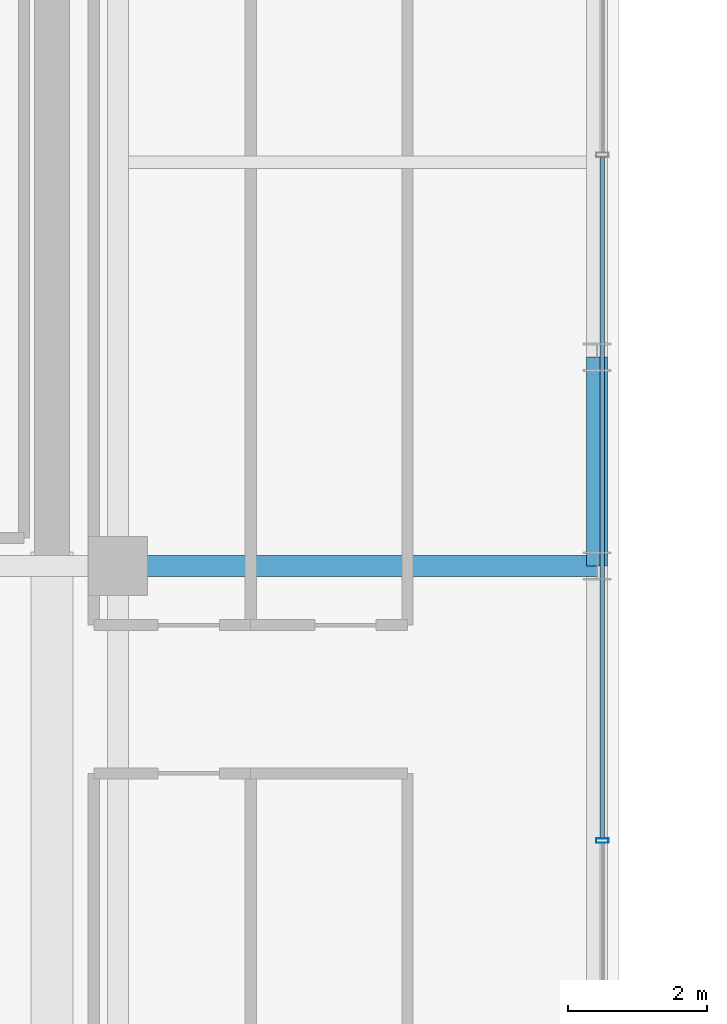
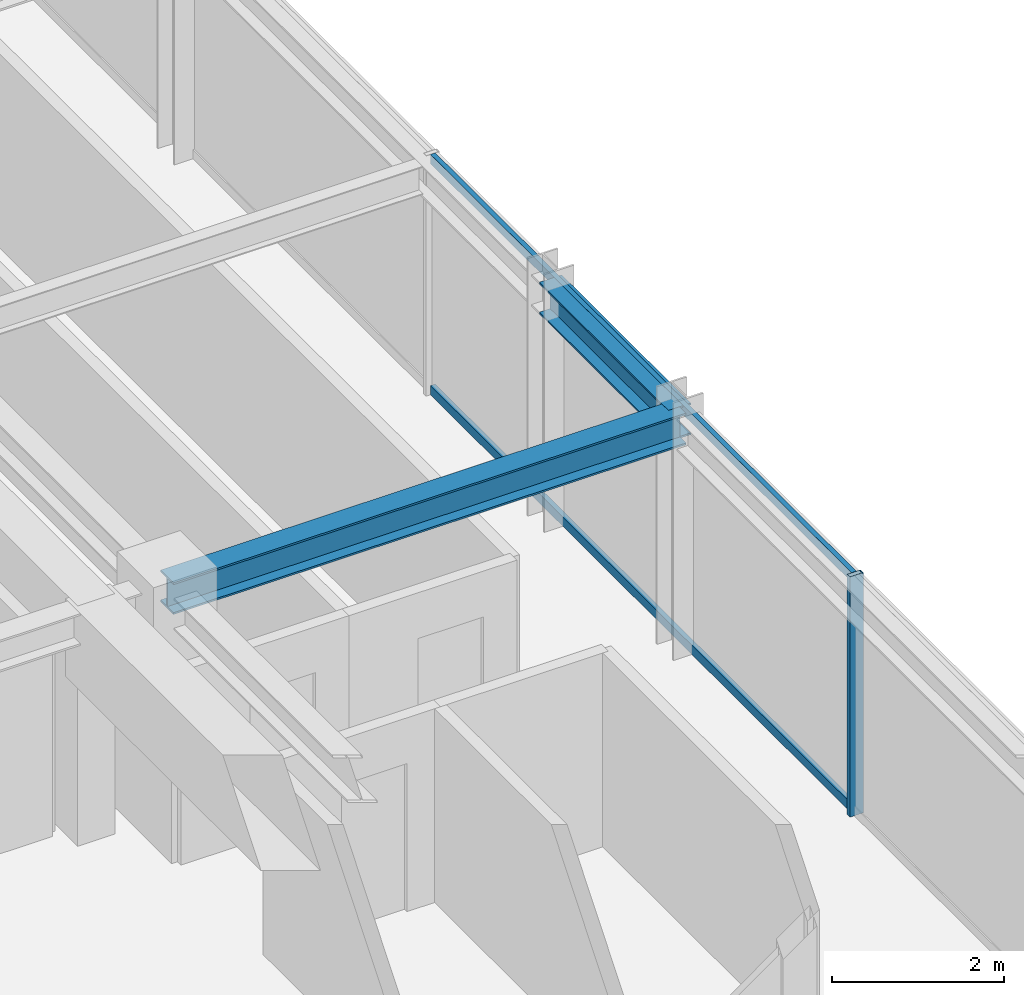
# One storey, part 17 of 43: 3 members, 2 beams, 1 element without a shape of its own.
"""IFC4 building model written with IfcOpenShell, lengths in metres."""

import ifcopenshell
import ifcopenshell.guid

model = None  # the IFC model being written
_history = None  # IfcOwnerHistory: only IFC2X3 demands one
_inside = {}  # id of a spatial element -> (the spatial element, [elements in it])
_under = {}  # id of a project, library or spatial element -> (it, [spatial elements below it])
_declared = {}  # id of a project -> (the project, [libraries it declares])
_typed = {}  # id of a type object -> (the type object, [elements of that type])
_made_of = {}  # id of a material, layer set ... -> (it, [elements and type objects made of it])


def new_model(schema):
    """Start an empty IFC model of exactly this schema.

    Asked for "IFC4X3", IfcOpenShell would pick the latest addendum, in which some entities
    have other attributes; the version numbers below select the first issue.
    IFC2X3 requires an IfcOwnerHistory on every rooted entity: one is made here for all.
    """
    global model, _history
    if schema == "IFC4X3":
        model = ifcopenshell.file(schema_version=(4, 3, 0, 0))
    else:
        model = ifcopenshell.file(schema=schema)
    _inside.clear()
    _under.clear()
    _declared.clear()
    _typed.clear()
    _made_of.clear()
    _history = None
    if model.schema == "IFC2X3":
        org = make("IfcOrganization", Name="unknown")
        user = make(
            "IfcPersonAndOrganization",
            ThePerson=make("IfcPerson", FamilyName="unknown"),
            TheOrganization=org,
        )
        app = make(
            "IfcApplication",
            ApplicationDeveloper=org,
            Version="unknown",
            ApplicationFullName="unknown",
            ApplicationIdentifier="unknown",
        )
        _history = make(
            "IfcOwnerHistory",
            OwningUser=user,
            OwningApplication=app,
            ChangeAction="ADDED",
            CreationDate=0,
        )
    return model


def make(cls, **values):
    """One entity of the class cls with the attributes given. An attribute that is None is left unset."""
    return model.create_entity(
        cls, **{name: value for name, value in values.items() if value is not None}
    )


def rooted(cls, **values):
    """An entity with a GlobalId (a new one), such as an element, a storey or a relation."""
    return make(cls, GlobalId=ifcopenshell.guid.new(), OwnerHistory=_history, **values)


def si_unit(unit_type, name, prefix=None):
    """IfcSIUnit, for example si_unit("LENGTHUNIT", "METRE", prefix="MILLI")."""
    return make("IfcSIUnit", UnitType=unit_type, Prefix=prefix, Name=name)


def assignment(units):
    """IfcUnitAssignment: the units of a project."""
    return None if units is None else make("IfcUnitAssignment", Units=units)


def point(xyz):
    """IfcCartesianPoint."""
    return None if xyz is None else make("IfcCartesianPoint", Coordinates=xyz)


def direction(xyz):
    """IfcDirection."""
    return None if xyz is None else make("IfcDirection", DirectionRatios=xyz)


def frame(location, z_axis=None, x_axis=None):
    """IfcAxis2Placement3D, a coordinate frame: its origin and axes. An axis left out is left unset."""
    return make(
        "IfcAxis2Placement3D",
        Location=point(location),
        Axis=direction(z_axis),
        RefDirection=direction(x_axis),
    )


def frame_2d(location, x_axis=None):
    """IfcAxis2Placement2D, a coordinate frame in the plane: its origin and x axis."""
    return make(
        "IfcAxis2Placement2D", Location=point(location), RefDirection=direction(x_axis)
    )


def origin():
    """The frame at (0, 0, 0) with its axes left unset."""
    return frame((0.0, 0.0, 0.0))


def origin_2d():
    """The frame at (0, 0) in the plane with its x axis left unset."""
    return frame_2d((0.0, 0.0))


def place(relative_to, where):
    """IfcLocalPlacement: puts the frame where relative to a parent placement (None: the world)."""
    return make(
        "IfcLocalPlacement", PlacementRelTo=relative_to, RelativePlacement=where
    )


def context(
    kind, dimensions, precision=None, world=None, true_north=None, identifier=None
):
    """IfcGeometricRepresentationContext, for example the 3D "Model" context."""
    return make(
        "IfcGeometricRepresentationContext",
        ContextIdentifier=identifier,
        ContextType=kind,
        CoordinateSpaceDimension=dimensions,
        Precision=precision,
        WorldCoordinateSystem=world,
        TrueNorth=true_north,
    )


def subcontext(parent, identifier, kind, view, scale=None):
    """IfcGeometricRepresentationSubContext, for example "Body" below "Model"."""
    return make(
        "IfcGeometricRepresentationSubContext",
        ContextIdentifier=identifier,
        ContextType=kind,
        ParentContext=parent,
        TargetScale=scale,
        TargetView=view,
    )


def project(units=None, contexts=None):
    """IfcProject with its units and contexts."""
    return rooted(
        "IfcProject",
        Name="project",
        RepresentationContexts=contexts,
        UnitsInContext=assignment(units),
    )


def spatial(cls, under=None, at=None, **own):
    """A site, building, storey or space (cls), placed at a placement, below another one or the project."""
    s = rooted(cls, ObjectPlacement=at, **own)
    if under is not None:
        _under.setdefault(under.id(), (under, []))[1].append(s)
    return s


def profile(cls, at=None, kind="AREA", **sizes):
    """A parametric profile (cls). Its sizes go by their IFC names, for example OverallWidth=200.0."""
    return make(cls, ProfileType=kind, Position=at, **sizes)


def hollow_rectangle(**sizes):
    """IfcRectangleHollowProfileDef."""
    return profile("IfcRectangleHollowProfileDef", **sizes)


def i_section(**sizes):
    """IfcIShapeProfileDef."""
    return profile("IfcIShapeProfileDef", **sizes)


def extrude(swept, where, along, depth):
    """IfcExtrudedAreaSolid: the profile swept, set in the frame where, extruded along a direction by depth."""
    return make(
        "IfcExtrudedAreaSolid",
        SweptArea=swept,
        Position=where,
        ExtrudedDirection=direction(along),
        Depth=depth,
    )


def shape(context_of_items, identifier, shape_type, items):
    """IfcShapeRepresentation: the items that make up one representation, for example the "Body"."""
    return make(
        "IfcShapeRepresentation",
        ContextOfItems=context_of_items,
        RepresentationIdentifier=identifier,
        RepresentationType=shape_type,
        Items=items,
    )


def source(mapping_origin, context_of_items, identifier, shape_type, items):
    """IfcRepresentationMap: a shape defined once, which mapped items show again and again."""
    return make(
        "IfcRepresentationMap",
        MappingOrigin=mapping_origin,
        MappedRepresentation=shape(context_of_items, identifier, shape_type, items),
    )


def transform(
    local_origin,
    x_axis=None,
    y_axis=None,
    z_axis=None,
    scale=None,
    scale2=None,
    scale3=None,
    uniform=True,
):
    """IfcCartesianTransformationOperator3D, or its non-uniform kind. x_axis, y_axis, z_axis: its Axis1, 2, 3."""
    if uniform:
        return make(
            "IfcCartesianTransformationOperator3D",
            Axis1=direction(x_axis),
            Axis2=direction(y_axis),
            LocalOrigin=point(local_origin),
            Scale=scale,
            Axis3=direction(z_axis),
        )
    return make(
        "IfcCartesianTransformationOperator3DnonUniform",
        Axis1=direction(x_axis),
        Axis2=direction(y_axis),
        LocalOrigin=point(local_origin),
        Scale=scale,
        Axis3=direction(z_axis),
        Scale2=scale2,
        Scale3=scale3,
    )


def mapped(mapping_source, mapping_target):
    """IfcMappedItem: shows the shape of a source again, moved by a transform."""
    return make(
        "IfcMappedItem", MappingSource=mapping_source, MappingTarget=mapping_target
    )


def material(Name=None, Category=None):
    """IfcMaterial."""
    return make("IfcMaterial", Name=Name, Category=Category)


def material_profile(
    of_material, cross_section, Name=None, Category=None, Priority=None
):
    """IfcMaterialProfile: a cross section and its material."""
    return make(
        "IfcMaterialProfile",
        Name=Name,
        Material=of_material,
        Profile=cross_section,
        Priority=Priority,
        Category=Category,
    )


def profile_set(profiles, Name=None, composite=None):
    """IfcMaterialProfileSet."""
    return make(
        "IfcMaterialProfileSet",
        Name=Name,
        MaterialProfiles=profiles,
        CompositeProfile=composite,
    )


def made_of(thing, what):
    """Note that an element or type object is made of a material, layer set ...; save() writes the relation."""
    if what is not None:
        _made_of.setdefault(what.id(), (what, []))[1].append(thing)
    return thing


def type_object(cls, material=None, **own):
    """A type object (cls), such as IfcWallType, which elements share."""
    return made_of(rooted(cls, **own), material)


def element(
    cls,
    number,
    at=None,
    inside=None,
    cuts=None,
    type_object=None,
    material=None,
    context=None,
    identifier="Body",
    shape_type=None,
    held_by="IfcProductDefinitionShape",
    body=None,
    shapes=None,
    **own,
):
    """One element of the class cls, such as IfcWall. Its Tag is "e" and its number.

    at: its placement. inside: the storey or other place that contains it. cuts: it is an
    opening in that element (IfcRelVoidsElement). A single representation is given by context,
    identifier, shape_type and body (its items); several are given by shapes. held_by: the class
    of the entity that holds the representations. save() writes the other relations.
    """
    e = rooted(cls, Tag="e%d" % number, ObjectPlacement=at, **own)
    if body is not None:
        shapes = [shape(context, identifier, shape_type, body)]
    if shapes is not None:
        e.Representation = make(held_by, Representations=shapes)
    if inside is not None:
        _inside.setdefault(inside.id(), (inside, []))[1].append(e)
    if cuts is not None:
        rooted(
            "IfcRelVoidsElement", RelatingBuildingElement=cuts, RelatedOpeningElement=e
        )
    if type_object is not None:
        _typed.setdefault(type_object.id(), (type_object, []))[1].append(e)
    return made_of(e, material)


def aggregate(whole, parts):
    """IfcRelAggregates: a whole, such as a stair, and the parts it consists of."""
    return rooted("IfcRelAggregates", RelatingObject=whole, RelatedObjects=parts)


def save(model, path):
    """Write the relations noted so far, then the file.

    IfcRelAggregates (storeys below a building ...), IfcRelContainedInSpatialStructure (elements
    in a storey), IfcRelDefinesByType, IfcRelAssociatesMaterial and IfcRelDeclares: one each for
    every whole, place, type object, material and project.
    """
    for whole, parts in _under.values():
        aggregate(whole, parts)
    for where, things in _inside.values():
        rooted(
            "IfcRelContainedInSpatialStructure",
            RelatedElements=things,
            RelatingStructure=where,
        )
    for kind, things in _typed.values():
        rooted("IfcRelDefinesByType", RelatedObjects=things, RelatingType=kind)
    for what, things in _made_of.values():
        rooted("IfcRelAssociatesMaterial", RelatedObjects=things, RelatingMaterial=what)
    for by, libraries in _declared.values():
        rooted("IfcRelDeclares", RelatingContext=by, RelatedDefinitions=libraries)
    model.write(path)


model = new_model("IFC4")

# Units and contexts
model_context = context("Model", 3, precision=1e-05, world=origin(), true_north=direction((0.0, 1.0)))
body_context = subcontext(model_context, "Body", "Model", "MODEL_VIEW")
ifc_project = project(units=[si_unit("LENGTHUNIT", "METRE"), si_unit("AREAUNIT", "SQUARE_METRE"), si_unit("VOLUMEUNIT", "CUBIC_METRE"), si_unit("PLANEANGLEUNIT", "RADIAN"), si_unit("MASSUNIT", "GRAM", prefix="KILO")], contexts=[model_context])

# Site, building, storey
site_placement = place(None, origin())
site = spatial("IfcSite", under=ifc_project, at=site_placement, CompositionType="ELEMENT")
building_placement = place(site_placement, origin())
building = spatial("IfcBuilding", under=site, at=building_placement, Name="Nahalor Promenade Grand Hotel", CompositionType="ELEMENT")
storey_placement = place(building_placement, frame((0.0, 0.0, 204.89990234375)))
storey = spatial("IfcBuildingStorey", under=building, at=storey_placement, Name="L52", CompositionType="ELEMENT", Elevation=204.89990234375)

# Beams
ifc_material_1 = material(Name="Steel S355JR", Category="steel")
ifc_material_profile_1 = material_profile(ifc_material_1, i_section(OverallWidth=0.3, OverallDepth=0.45, WebThickness=0.014, FlangeThickness=0.026, at=origin_2d()), Name="HEB 450")
ifc_profile_set_1 = profile_set([ifc_material_profile_1], Name="Steel S355JR")
beam_type_1 = type_object("IfcBeamType", Name="Beam-Spandrel-HEB450", PredefinedType="SPANDREL", material=ifc_profile_set_1)
shared_shape_1 = source(origin(), body_context, "Body", "SweptSolid", [
    extrude(i_section(OverallWidth=0.3, OverallDepth=0.45, WebThickness=0.014, FlangeThickness=0.026, at=origin_2d()), origin(), (0.0, 0.0, 1.0), 3.0),
])
beam_1_placement = place(storey_placement, frame((23.8798828125, 5.39990234375, 3.18505859375), z_axis=(0.0, 1.0, 0.0), x_axis=(-1.0, 0.0, 0.0)))
element("IfcBeam", 1, at=beam_1_placement, inside=storey, type_object=beam_type_1, Name="BM-L52-SP-E-3", PredefinedType="SPANDREL", context=body_context, shape_type="MappedRepresentation", body=[
    mapped(shared_shape_1, transform((0.0, 0.0, 0.0), scale=1.0)),
])
ifc_material_profile_2 = material_profile(ifc_material_1, i_section(OverallWidth=0.3, OverallDepth=0.45, WebThickness=0.014, FlangeThickness=0.026, at=origin_2d()), Name="HEB 450")
ifc_profile_set_2 = profile_set([ifc_material_profile_2], Name="Steel S355JR")
beam_type_2 = type_object("IfcBeamType", Name="Beam-Girder-HEB450", PredefinedType="BEAM", material=ifc_profile_set_2)
shared_shape_2 = source(origin(), body_context, "Body", "SweptSolid", [
    extrude(i_section(OverallWidth=0.3, OverallDepth=0.45, WebThickness=0.014, FlangeThickness=0.026, at=origin_2d()), origin(), (0.0, 0.0, 1.0), 6.8798828125),
])
beam_2_placement = place(storey_placement, frame((17.0, 5.39990234375, 3.18505859375), z_axis=(1.0, 0.0, 0.0), x_axis=(0.0, 1.0, 0.0)))
element("IfcBeam", 2, at=beam_2_placement, inside=storey, type_object=beam_type_2, Name="BM-L52-GX-2-6", PredefinedType="BEAM", context=body_context, shape_type="MappedRepresentation", body=[
    mapped(shared_shape_2, transform((0.0, 0.0, 0.0), scale=1.0)),
])

# Curtain wall, members
ifc_material_2 = material(Name="Anodised Bronze Aluminium EN AW-6063 T6", Category="aluminium")
curtain_wall_type = type_object("IfcCurtainWallType", Name="CW2 Typical Hotel Flush Bronze Unitised Curtain Wall", PredefinedType="USERDEFINED", material=ifc_material_2)
curtain_wall_placement = place(storey_placement, origin())
curtain_wall = element("IfcCurtainWall", 3, at=curtain_wall_placement, inside=storey, type_object=curtain_wall_type, Name="L52 Curtain Wall CW-L52-E-3", ObjectType="UNITISED_CURTAIN_WALL", PredefinedType="USERDEFINED")
ifc_material_profile_3 = material_profile(ifc_material_2, hollow_rectangle(XDim=0.065, YDim=0.18, WallThickness=0.004, at=origin_2d()), Name="CWM 65x180x4")
ifc_profile_set_3 = profile_set([ifc_material_profile_3], Name="Anodised Bronze Aluminium EN AW-6063 T6")
member_type_1 = type_object("IfcMemberType", Name="CWM2 Typical Bronze Mullion 65x180", PredefinedType="MULLION", material=ifc_profile_set_3)
shared_shape_3 = source(origin(), body_context, "Body", "SweptSolid", [
    extrude(hollow_rectangle(XDim=0.065, YDim=0.18, WallThickness=0.004, at=origin_2d()), origin(), (0.0, 0.0, 1.0), 3.41015625),
])
member_1_placement = place(storey_placement, frame((23.9599609375, 1.453369140625, 0.0), z_axis=(0.0, 0.0, 1.0), x_axis=(0.0, 1.0, 0.0)))
member_1 = element("IfcMember", 4, at=member_1_placement, type_object=member_type_1, Name="CW-L52-E-3 Mullion 1", PredefinedType="MULLION", context=body_context, shape_type="MappedRepresentation", body=[
    mapped(shared_shape_3, transform((0.0, 0.0, 0.0), scale=1.0)),
])
ifc_material_profile_4 = material_profile(ifc_material_2, hollow_rectangle(XDim=0.065, YDim=0.13, WallThickness=0.004, at=origin_2d()), Name="CWT 65x130x4")
ifc_profile_set_4 = profile_set([ifc_material_profile_4], Name="Anodised Bronze Aluminium EN AW-6063 T6")
member_type_2 = type_object("IfcMemberType", Name="CWT2 Typical Bronze Transom 65x130", PredefinedType="USERDEFINED", material=ifc_profile_set_4)
shared_shape_4 = source(origin(), body_context, "Body", "SweptSolid", [
    extrude(hollow_rectangle(XDim=0.065, YDim=0.13, WallThickness=0.004, at=origin_2d()), origin(), (0.0, 0.0, 1.0), 9.788330078125),
])
member_2_placement = place(storey_placement, frame((23.9599609375, 1.48583984375, 0.065185546875), z_axis=(0.0, 1.0, 0.0), x_axis=(-1.0, 0.0, 0.0)))
member_2 = element("IfcMember", 5, at=member_2_placement, type_object=member_type_2, Name="CW-L52-E-3 Transom 1-0", ObjectType="TRANSOM", PredefinedType="USERDEFINED", context=body_context, shape_type="MappedRepresentation", body=[
    mapped(shared_shape_4, transform((0.0, 0.0, 0.0), scale=1.0)),
])
member_3_placement = place(storey_placement, frame((23.9599609375, 1.48583984375, 3.34521484375), z_axis=(0.0, 1.0, 0.0), x_axis=(-1.0, 0.0, 0.0)))
member_3 = element("IfcMember", 6, at=member_3_placement, type_object=member_type_2, Name="CW-L52-E-3 Transom 1-1", ObjectType="TRANSOM", PredefinedType="USERDEFINED", context=body_context, shape_type="MappedRepresentation", body=[
    mapped(shared_shape_4, transform((0.0, 0.0, 0.0), scale=1.0)),
])
aggregate(curtain_wall, [member_1, member_2, member_3])

save(model, "model.ifc")
